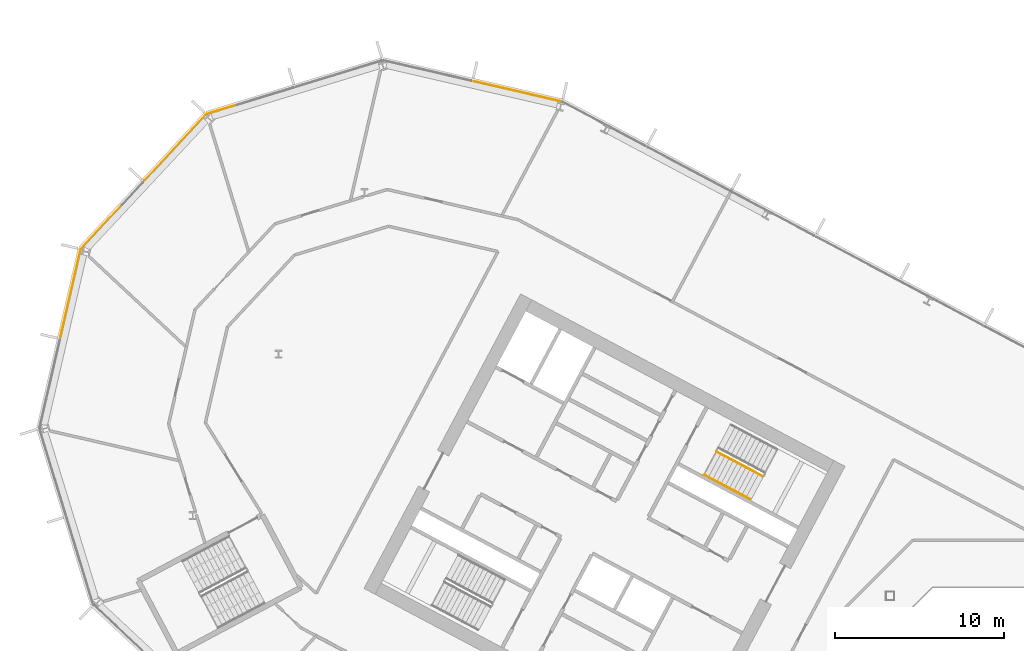
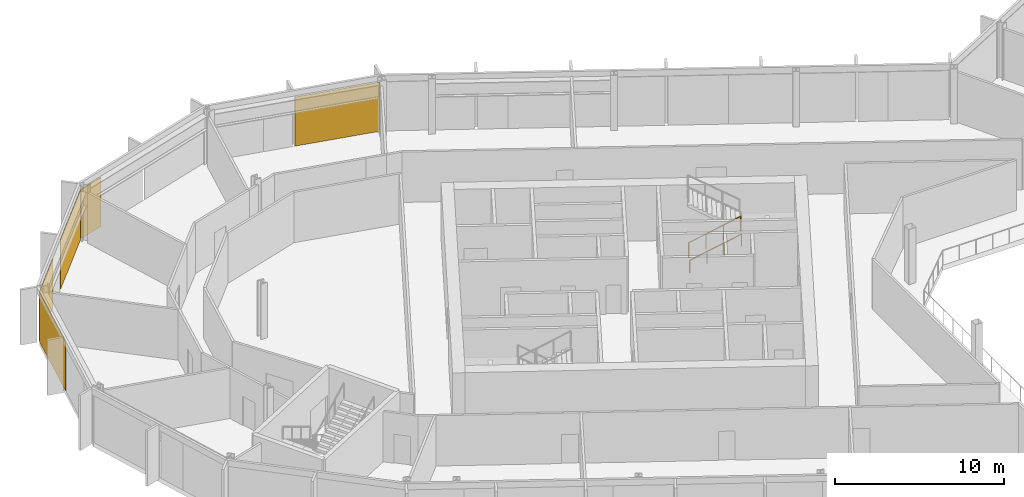
# One storey, part 22 of 28: 5 coverings, 2 railings, 4 elements without a shape of their own.
"""IFC4 building model written with IfcOpenShell, lengths in metres."""

from ifc_helpers import new_model, si_unit, direction, frame, origin, origin_2d, place, context, subcontext, project, spatial, polyline, rectangle, outline, extrude, material, layer, layer_set, type_object, element, aggregate, save


model = new_model("IFC4")

# Units and contexts
model_context = context("Model", 3, precision=1e-05, world=origin(), true_north=direction((0.0, 1.0)))
body_context = subcontext(model_context, "Body", "Model", "MODEL_VIEW")
ifc_project = project(units=[si_unit("LENGTHUNIT", "METRE"), si_unit("AREAUNIT", "SQUARE_METRE"), si_unit("VOLUMEUNIT", "CUBIC_METRE"), si_unit("PLANEANGLEUNIT", "RADIAN"), si_unit("MASSUNIT", "GRAM", prefix="KILO")], contexts=[model_context])

# Site, building, storey
site_placement = place(None, origin())
site = spatial("IfcSite", under=ifc_project, at=site_placement, CompositionType="ELEMENT")
building_placement = place(site_placement, origin())
building = spatial("IfcBuilding", under=site, at=building_placement, Name="Cormorant Relay Tower", CompositionType="ELEMENT")
storey_placement = place(building_placement, frame((0.0, 0.0, 126.199951171875)))
storey = spatial("IfcBuildingStorey", under=building, at=storey_placement, Name="L25", CompositionType="ELEMENT", Elevation=126.199951171875)

# Curtain wall, covering
ifc_material_1 = material(Name="Aluminium 6063-T6 anodised bronze", Category="aluminium")
ifc_layer_1 = layer(ifc_material_1, 0.199951171875)
ifc_layer_set_1 = layer_set([ifc_layer_1], Name="CW1 unitised bronze curtain wall with vertical fins")
curtain_wall_type = type_object("IfcCurtainWallType", Name="CW1 unitised bronze curtain wall with vertical fins", PredefinedType="NOTDEFINED", material=ifc_layer_set_1)
curtain_wall_1_placement = place(storey_placement, origin())
curtain_wall_1 = element("IfcCurtainWall", 1, at=curtain_wall_1_placement, inside=storey, type_object=curtain_wall_type, Name="CW1 curtain wall 10", PredefinedType="NOTDEFINED")
ifc_material_2 = material(Name="Pale bronze anodised aluminium insulated panel", Category="aluminium")
ifc_layer_2 = layer(ifc_material_2, 0.0400390625)
ifc_layer_set_2 = layer_set([ifc_layer_2], Name="CW1 pale bronze insulated panel 40")
covering_type = type_object("IfcCoveringType", Name="CW1 pale bronze insulated panel 40", PredefinedType="CLADDING", material=ifc_layer_set_2)
covering_1_placement = place(storey_placement, frame((-32.51708984375, 40.298828125, 0.0), z_axis=(0.0, 0.0, 1.0), x_axis=(-0.974370064785, 0.224951054344, 0.0)))
covering_1 = element("IfcCovering", 2, at=covering_1_placement, type_object=covering_type, Name="CW1 panel S00", PredefinedType="CLADDING", context=body_context, shape_type="SweptSolid", body=[
    extrude(rectangle(XDim=5.28515625, YDim=0.0400390625, at=origin_2d()), origin(), (0.0, 0.0, 1.0), 3.550048828125),
])
aggregate(curtain_wall_1, [covering_1])

curtain_wall_2_placement = place(storey_placement, origin())
curtain_wall_2 = element("IfcCurtainWall", 3, at=curtain_wall_2_placement, inside=storey, type_object=curtain_wall_type, Name="CW1 curtain wall 11", PredefinedType="NOTDEFINED")
covering_2_placement = place(storey_placement, frame((-50.025146484375, 39.211669921875, 0.0), z_axis=(0.0, 0.0, 1.0), x_axis=(-0.956304755963, -0.292371704723, 0.0)))
covering_2 = element("IfcCovering", 4, at=covering_2_placement, type_object=covering_type, Name="CW1 panel S02", PredefinedType="CLADDING", context=body_context, shape_type="SweptSolid", body=[
    extrude(rectangle(XDim=1.76025390625, YDim=0.0400390625, at=origin_2d()), origin(), (0.0, 0.0, 1.0), 3.550048828125),
])
aggregate(curtain_wall_2, [covering_2])

# Curtain wall, coverings
curtain_wall_3_placement = place(storey_placement, origin())
curtain_wall_3 = element("IfcCurtainWall", 5, at=curtain_wall_3_placement, inside=storey, type_object=curtain_wall_type, Name="CW1 curtain wall 12", PredefinedType="NOTDEFINED")
covering_3_placement = place(storey_placement, frame((-52.72900390625, 36.961181640625, 0.0), z_axis=(0.0, 0.0, 1.0), x_axis=(-0.681998360062, -0.731353701619, 0.0)))
covering_3 = element("IfcCovering", 6, at=covering_3_placement, type_object=covering_type, Name="CW1 panel S00", PredefinedType="CLADDING", context=body_context, shape_type="SweptSolid", body=[
    extrude(rectangle(XDim=5.28515625, YDim=0.0400390625, at=origin_2d()), origin(), (0.0, 0.0, 1.0), 3.550048828125),
])
covering_4_placement = place(storey_placement, frame((-57.0751953125, 32.300537109375, 0.0), z_axis=(0.0, 0.0, 1.0), x_axis=(-0.681998360062, -0.731353701619, 0.0)))
covering_4 = element("IfcCovering", 7, at=covering_4_placement, type_object=covering_type, Name="CW1 panel S02", PredefinedType="CLADDING", context=body_context, shape_type="SweptSolid", body=[
    extrude(rectangle(XDim=3.560302734375, YDim=0.0400390625, at=origin_2d()), origin(), (0.0, 0.0, 1.0), 3.550048828125),
])
aggregate(curtain_wall_3, [covering_3, covering_4])

# Curtain wall, covering
curtain_wall_4_placement = place(storey_placement, origin())
curtain_wall_4 = element("IfcCurtainWall", 8, at=curtain_wall_4_placement, inside=storey, type_object=curtain_wall_type, Name="CW1 curtain wall 13", PredefinedType="NOTDEFINED")
covering_5_placement = place(storey_placement, frame((-58.905517578125, 28.341796875, 0.0), z_axis=(0.0, 0.0, 1.0), x_axis=(-0.224951054344, -0.974370064785, 0.0)))
covering_5 = element("IfcCovering", 9, at=covering_5_placement, type_object=covering_type, Name="CW1 panel S00", PredefinedType="CLADDING", context=body_context, shape_type="SweptSolid", body=[
    extrude(rectangle(XDim=5.28515625, YDim=0.0400390625, at=origin_2d()), origin(), (0.0, 0.0, 1.0), 3.550048828125),
])
aggregate(curtain_wall_4, [covering_5])

# Railings
ifc_material_3 = material(Name="Steel ASTM A572 Grade 50 (Fy 345 MPa)", Category="steel")
railing_type_1 = type_object("IfcRailingType", Name="Stair guard 1100", PredefinedType="GUARDRAIL", material=ifc_material_3)
railing_1_placement = place(storey_placement, frame((-20.75048828125, 19.017822265625, 0.166748046875)))
element("IfcRailing", 10, at=railing_1_placement, inside=storey, type_object=railing_type_1, Name="L25 A1 stair guard 1", PredefinedType="GUARDRAIL", context=body_context, shape_type="SweptSolid", body=[
    extrude(outline(polyline([(0.022216796875, 0.00927734375), (0.00927734375, 0.022216796875), (-0.00927734375, 0.022216796875), (-0.022216796875, 0.00927734375), (-0.022216796875, -0.00927734375), (-0.00927734375, -0.022216796875), (0.00927734375, -0.022216796875), (0.022216796875, -0.00927734375), (0.022216796875, 0.00927734375)])), frame((0.0, 0.0, 1.076171875), z_axis=(0.758734504837, -0.403377838015, 0.511476559549), x_axis=(0.469427602063, 0.882970965786, 0.0)), (0.0, 0.0, 1.0), 3.584228515625),
    extrude(outline(polyline([(0.019287109375, 0.008056640625), (0.008056640625, 0.019287109375), (-0.008056640625, 0.019287109375), (-0.019287109375, 0.008056640625), (-0.019287109375, -0.008056640625), (-0.008056640625, -0.019287109375), (0.008056640625, -0.019287109375), (0.019287109375, -0.008056640625), (0.019287109375, 0.008056640625)])), origin(), (0.0, 0.0, 1.0), 1.052001953125),
    extrude(outline(polyline([(0.019287109375, 0.008056640625), (0.008056640625, 0.019287109375), (-0.008056640625, 0.019287109375), (-0.019287109375, 0.008056640625), (-0.019287109375, -0.008056640625), (-0.008056640625, -0.019287109375), (0.008056640625, -0.019287109375), (0.019287109375, -0.008056640625), (0.019287109375, 0.008056640625)])), frame((0.906494140625, -0.48193359375, 0.611083984375)), (0.0, 0.0, 1.0), 1.052001953125),
    extrude(outline(polyline([(0.019287109375, 0.008056640625), (0.008056640625, 0.019287109375), (-0.008056640625, 0.019287109375), (-0.019287109375, 0.008056640625), (-0.019287109375, -0.008056640625), (-0.008056640625, -0.019287109375), (0.008056640625, -0.019287109375), (0.019287109375, -0.008056640625), (0.019287109375, 0.008056640625)])), frame((1.81298828125, -0.9638671875, 1.22216796875)), (0.0, 0.0, 1.0), 1.052001953125),
    extrude(outline(polyline([(0.019287109375, 0.008056640625), (0.008056640625, 0.019287109375), (-0.008056640625, 0.019287109375), (-0.019287109375, 0.008056640625), (-0.019287109375, -0.008056640625), (-0.008056640625, -0.019287109375), (0.008056640625, -0.019287109375), (0.019287109375, -0.008056640625), (0.019287109375, 0.008056640625)])), frame((2.719482421875, -1.44580078125, 1.833251953125)), (0.0, 0.0, 1.0), 1.052001953125),
])
ifc_material_4 = material(Name="Steel ASTM A572 Grade 50 (Fy 345 MPa)", Category="steel")
railing_type_2 = type_object("IfcRailingType", Name="Stair handrail 900", PredefinedType="HANDRAIL", material=ifc_material_4)
railing_2_placement = place(storey_placement, frame((-21.478271484375, 17.6494140625, 0.166748046875)))
element("IfcRailing", 11, at=railing_2_placement, inside=storey, type_object=railing_type_2, Name="L25 A1 stair handrail 1", PredefinedType="HANDRAIL", context=body_context, shape_type="SweptSolid", body=[
    extrude(outline(polyline([(0.022216796875, 0.00927734375), (0.00927734375, 0.022216796875), (-0.00927734375, 0.022216796875), (-0.022216796875, 0.00927734375), (-0.022216796875, -0.00927734375), (-0.00927734375, -0.022216796875), (0.00927734375, -0.022216796875), (0.022216796875, -0.00927734375), (0.022216796875, 0.00927734375)])), frame((0.0, 0.0, 0.8759765625), z_axis=(0.758713656843, -0.403434867536, 0.511462505542), x_axis=(0.469489399267, 0.882938108802, 0.0)), (0.0, 0.0, 1.0), 3.584228515625),
    extrude(outline(polyline([(0.019287109375, 0.008056640625), (0.008056640625, 0.019287109375), (-0.008056640625, 0.019287109375), (-0.019287109375, 0.008056640625), (-0.019287109375, -0.008056640625), (-0.008056640625, -0.019287109375), (0.008056640625, -0.019287109375), (0.019287109375, -0.008056640625), (0.019287109375, 0.008056640625)])), origin(), (0.0, 0.0, 1.0), 0.851806640625),
    extrude(outline(polyline([(0.019287109375, 0.008056640625), (0.008056640625, 0.019287109375), (-0.008056640625, 0.019287109375), (-0.019287109375, 0.008056640625), (-0.019287109375, -0.008056640625), (-0.008056640625, -0.019287109375), (0.008056640625, -0.019287109375), (0.019287109375, -0.008056640625), (0.019287109375, 0.008056640625)])), frame((0.906494140625, -0.48193359375, 0.611083984375)), (0.0, 0.0, 1.0), 0.851806640625),
    extrude(outline(polyline([(0.019287109375, 0.008056640625), (0.008056640625, 0.019287109375), (-0.008056640625, 0.019287109375), (-0.019287109375, 0.008056640625), (-0.019287109375, -0.008056640625), (-0.008056640625, -0.019287109375), (0.008056640625, -0.019287109375), (0.019287109375, -0.008056640625), (0.019287109375, 0.008056640625)])), frame((1.81298828125, -0.964111328125, 1.22216796875)), (0.0, 0.0, 1.0), 0.851806640625),
    extrude(outline(polyline([(0.019287109375, 0.008056640625), (0.008056640625, 0.019287109375), (-0.008056640625, 0.019287109375), (-0.019287109375, 0.008056640625), (-0.019287109375, -0.008056640625), (-0.008056640625, -0.019287109375), (0.008056640625, -0.019287109375), (0.019287109375, -0.008056640625), (0.019287109375, 0.008056640625)])), frame((2.719482421875, -1.446044921875, 1.833251953125)), (0.0, 0.0, 1.0), 0.851806640625),
])

save(model, "model.ifc")
